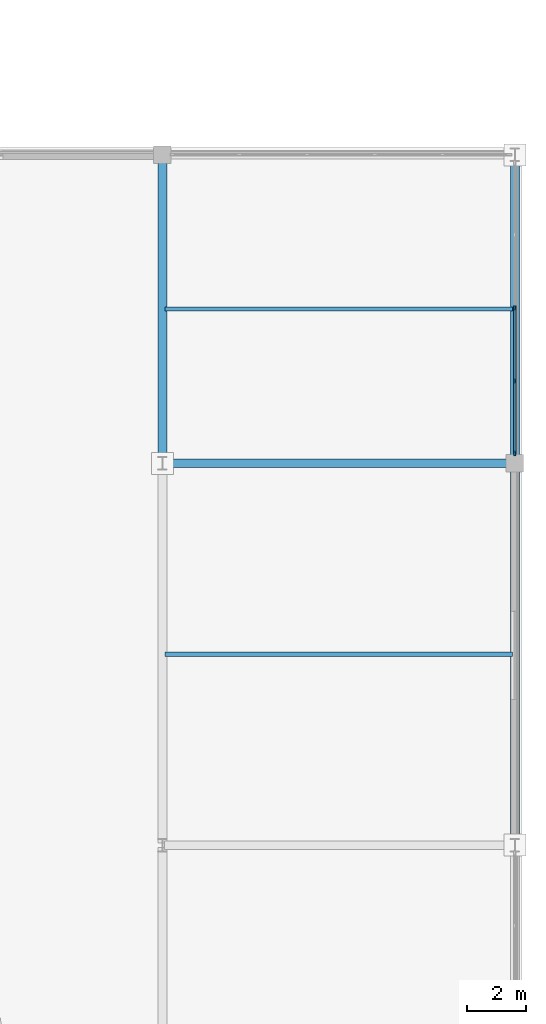
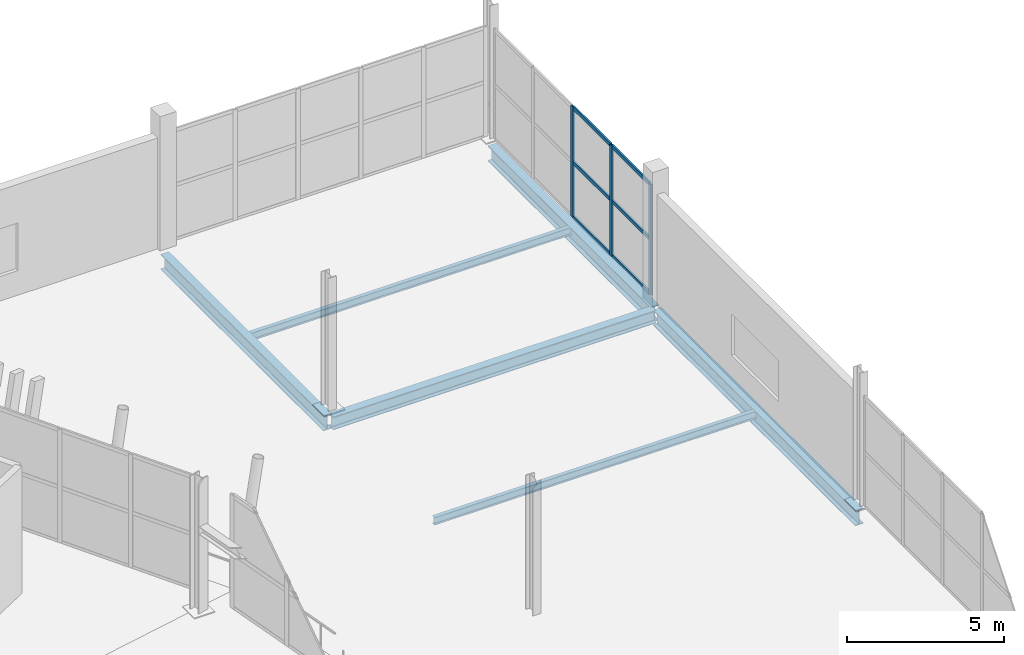
# One storey, part 67 of 178: 9 members, 6 beams, 1 element without a shape of its own.
"""IFC4 building model written with IfcOpenShell, lengths in metres."""

from ifc_helpers import new_model, si_unit, direction, frame, origin, origin_2d, place, context, subcontext, project, spatial, rectangle, i_section, extrude, material, material_profile, profile_set, type_object, element, aggregate, save


model = new_model("IFC4")

# Units and contexts
model_context = context("Model", 3, precision=1e-05, world=origin(), true_north=direction((0.0, 1.0)))
body_context = subcontext(model_context, "Body", "Model", "MODEL_VIEW")
ifc_project = project(units=[si_unit("LENGTHUNIT", "METRE"), si_unit("AREAUNIT", "SQUARE_METRE"), si_unit("VOLUMEUNIT", "CUBIC_METRE"), si_unit("PLANEANGLEUNIT", "RADIAN"), si_unit("MASSUNIT", "GRAM", prefix="KILO")], contexts=[model_context])

# Site, building, storey
site_placement = place(None, origin())
site = spatial("IfcSite", under=ifc_project, at=site_placement, CompositionType="ELEMENT")
building_placement = place(site_placement, origin())
building = spatial("IfcBuilding", under=site, at=building_placement, Name="Zlatoyarsky Gate Stadium", CompositionType="ELEMENT")
storey_placement = place(building_placement, frame((0.0, 0.0, 5.39990234375)))
storey = spatial("IfcBuildingStorey", under=building, at=storey_placement, Name="L01", CompositionType="ELEMENT", Elevation=5.39990234375)

# Curtain wall, members
ifc_material_1 = material(Name="Thermally broken anodised aluminium curtain wall", Category="aluminium")
curtain_wall_type = type_object("IfcCurtainWallType", Name="WINTER GARDEN CONSERVATORY GLAZING", PredefinedType="USERDEFINED", material=ifc_material_1)
curtain_wall_placement = place(storey_placement, origin())
curtain_wall = element("IfcCurtainWall", 1, at=curtain_wall_placement, inside=storey, type_object=curtain_wall_type, Name="Curtain wall CW-V5_EAST-L01-182", ObjectType="UNITISED GLAZING", PredefinedType="USERDEFINED")
ifc_material_2 = material(Name="Anodised aluminium 6063-T6", Category="aluminium")
ifc_material_profile_1 = material_profile(ifc_material_2, rectangle(XDim=0.06494140625, YDim=0.159912109375, at=origin_2d()), Name="ALU 65X160")
ifc_profile_set_1 = profile_set([ifc_material_profile_1], Name="Anodised aluminium 6063-T6")
member_type_1 = type_object("IfcMemberType", Name="ALUMINIUM MULLION 65X160", PredefinedType="MULLION", material=ifc_profile_set_1)
member_1_placement = place(storey_placement, frame((222.0, 106.344482421875, 0.0), z_axis=(0.0, 0.0, 1.0), x_axis=(-1.0, 0.0, 0.0)))
member_1 = element("IfcMember", 2, at=member_1_placement, type_object=member_type_1, Name="CW-WG1 mullion 1", PredefinedType="MULLION", context=body_context, shape_type="SweptSolid", body=[
    extrude(rectangle(XDim=0.06494140625, YDim=0.159912109375, at=origin_2d()), origin(), (0.0, 0.0, 1.0), 4.300048828125),
])
member_2_placement = place(storey_placement, frame((222.0, 108.7998046875, 0.0), z_axis=(0.0, 0.0, 1.0), x_axis=(-1.0, 0.0, 0.0)))
member_2 = element("IfcMember", 3, at=member_2_placement, type_object=member_type_1, Name="CW-WG1 mullion 2", PredefinedType="MULLION", context=body_context, shape_type="SweptSolid", body=[
    extrude(rectangle(XDim=0.06494140625, YDim=0.159912109375, at=origin_2d()), origin(), (0.0, 0.0, 1.0), 4.300048828125),
])
member_3_placement = place(storey_placement, frame((222.0, 111.28759765625, 0.0), z_axis=(0.0, 0.0, 1.0), x_axis=(-1.0, 0.0, 0.0)))
member_3 = element("IfcMember", 4, at=member_3_placement, type_object=member_type_1, Name="CW-WG1 mullion 3", PredefinedType="MULLION", context=body_context, shape_type="SweptSolid", body=[
    extrude(rectangle(XDim=0.06494140625, YDim=0.159912109375, at=origin_2d()), origin(), (0.0, 0.0, 1.0), 4.300048828125),
])
ifc_material_profile_2 = material_profile(ifc_material_2, rectangle(XDim=0.06494140625, YDim=0.139892578125, at=origin_2d()), Name="ALU 65X140")
ifc_profile_set_2 = profile_set([ifc_material_profile_2], Name="Anodised aluminium 6063-T6")
member_type_2 = type_object("IfcMemberType", Name="ALUMINIUM TRANSOM 65X140", PredefinedType="USERDEFINED", material=ifc_profile_set_2)
member_4_placement = place(storey_placement, frame((222.0, 106.376953125, 0.03271484375), z_axis=(0.0, 1.0, 0.0), x_axis=(-1.0, 0.0, 0.0)))
member_4 = element("IfcMember", 5, at=member_4_placement, type_object=member_type_2, Name="CW-WG1 transom 1.1", ObjectType="TRANSOM", PredefinedType="USERDEFINED", context=body_context, shape_type="SweptSolid", body=[
    extrude(rectangle(XDim=0.06494140625, YDim=0.139892578125, at=origin_2d()), origin(), (0.0, 0.0, 1.0), 2.390380859375),
])
member_5_placement = place(storey_placement, frame((222.0, 106.376953125, 2.150146484375), z_axis=(0.0, 1.0, 0.0), x_axis=(-1.0, 0.0, 0.0)))
member_5 = element("IfcMember", 6, at=member_5_placement, type_object=member_type_2, Name="CW-WG1 transom 1.2", ObjectType="TRANSOM", PredefinedType="USERDEFINED", context=body_context, shape_type="SweptSolid", body=[
    extrude(rectangle(XDim=0.06494140625, YDim=0.139892578125, at=origin_2d()), origin(), (0.0, 0.0, 1.0), 2.390380859375),
])
member_6_placement = place(storey_placement, frame((222.0, 106.376953125, 4.267578125), z_axis=(0.0, 1.0, 0.0), x_axis=(-1.0, 0.0, 0.0)))
member_6 = element("IfcMember", 7, at=member_6_placement, type_object=member_type_2, Name="CW-WG1 transom 1.3", ObjectType="TRANSOM", PredefinedType="USERDEFINED", context=body_context, shape_type="SweptSolid", body=[
    extrude(rectangle(XDim=0.06494140625, YDim=0.139892578125, at=origin_2d()), origin(), (0.0, 0.0, 1.0), 2.390380859375),
])
member_7_placement = place(storey_placement, frame((222.0, 108.832275390625, 0.03271484375), z_axis=(0.0, 1.0, 0.0), x_axis=(-1.0, 0.0, 0.0)))
member_7 = element("IfcMember", 8, at=member_7_placement, type_object=member_type_2, Name="CW-WG1 transom 2.1", ObjectType="TRANSOM", PredefinedType="USERDEFINED", context=body_context, shape_type="SweptSolid", body=[
    extrude(rectangle(XDim=0.06494140625, YDim=0.139892578125, at=origin_2d()), origin(), (0.0, 0.0, 1.0), 2.422607421875),
])
member_8_placement = place(storey_placement, frame((222.0, 108.832275390625, 2.150146484375), z_axis=(0.0, 1.0, 0.0), x_axis=(-1.0, 0.0, 0.0)))
member_8 = element("IfcMember", 9, at=member_8_placement, type_object=member_type_2, Name="CW-WG1 transom 2.2", ObjectType="TRANSOM", PredefinedType="USERDEFINED", context=body_context, shape_type="SweptSolid", body=[
    extrude(rectangle(XDim=0.06494140625, YDim=0.139892578125, at=origin_2d()), origin(), (0.0, 0.0, 1.0), 2.422607421875),
])
member_9_placement = place(storey_placement, frame((222.0, 108.832275390625, 4.267578125), z_axis=(0.0, 1.0, 0.0), x_axis=(-1.0, 0.0, 0.0)))
member_9 = element("IfcMember", 10, at=member_9_placement, type_object=member_type_2, Name="CW-WG1 transom 2.3", ObjectType="TRANSOM", PredefinedType="USERDEFINED", context=body_context, shape_type="SweptSolid", body=[
    extrude(rectangle(XDim=0.06494140625, YDim=0.139892578125, at=origin_2d()), origin(), (0.0, 0.0, 1.0), 2.422607421875),
])
aggregate(curtain_wall, [member_1, member_2, member_3, member_4, member_5, member_6, member_7, member_8, member_9])

# Beams
ifc_material_3 = material(Name="Steel S355", Category="steel")
ifc_material_profile_3 = material_profile(ifc_material_3, i_section(OverallWidth=0.300048828125, OverallDepth=0.5, WebThickness=0.014404296875, FlangeThickness=0.028076171875, FilletRadius=0.027099609375, at=origin_2d()), Name="HEB 500")
ifc_profile_set_3 = profile_set([ifc_material_profile_3], Name="Steel S355")
beam_type_1 = type_object("IfcBeamType", Name="STEEL PRIMARY GIRDER HEB 500", PredefinedType="BEAM", material=ifc_profile_set_3)
beam_1_placement = place(storey_placement, frame((210.080078125, 106.0, -0.5498046875), z_axis=(1.0, 0.0, 0.0), x_axis=(0.0, 1.0, 0.0)))
element("IfcBeam", 11, at=beam_1_placement, inside=storey, type_object=beam_type_1, Name="Beam G-HEB500 BM-L01-WGX-18-K", PredefinedType="BEAM", context=body_context, shape_type="SweptSolid", body=[
    extrude(i_section(OverallWidth=0.300048828125, OverallDepth=0.5, WebThickness=0.014404296875, FlangeThickness=0.028076171875, FilletRadius=0.027099609375, at=origin_2d()), origin(), (0.0, 0.0, 1.0), 11.83984375),
])
ifc_material_profile_4 = material_profile(ifc_material_3, i_section(OverallWidth=0.300048828125, OverallDepth=0.60009765625, WebThickness=0.015380859375, FlangeThickness=0.030029296875, FilletRadius=0.027099609375, at=origin_2d()), Name="HEB 600")
ifc_profile_set_4 = profile_set([ifc_material_profile_4], Name="Steel S355")
beam_type_2 = type_object("IfcBeamType", Name="STEEL PRIMARY GIRDER HEB 600", PredefinedType="BEAM", material=ifc_profile_set_4)
beam_2_placement = place(storey_placement, frame((210.0, 106.080078125, -0.599853515625), z_axis=(0.0, 1.0, 0.0), x_axis=(-1.0, 0.0, 0.0)))
element("IfcBeam", 12, at=beam_2_placement, inside=storey, type_object=beam_type_2, Name="Beam G-HEB600 BM-L01-WGY-18-K", PredefinedType="BEAM", context=body_context, shape_type="SweptSolid", body=[
    extrude(i_section(OverallWidth=0.300048828125, OverallDepth=0.60009765625, WebThickness=0.015380859375, FlangeThickness=0.030029296875, FilletRadius=0.027099609375, at=origin_2d()), origin(), (0.0, 0.0, 1.0), 10.33984375),
])
beam_3_placement = place(storey_placement, frame((222.0, 93.080078125, -0.599853515625), z_axis=(0.0, 1.0, 0.0), x_axis=(-1.0, 0.0, 0.0)))
element("IfcBeam", 13, at=beam_3_placement, inside=storey, type_object=beam_type_2, Name="Beam G-HEB600 BM-L01-WGY-19-J", PredefinedType="BEAM", context=body_context, shape_type="SweptSolid", body=[
    extrude(i_section(OverallWidth=0.300048828125, OverallDepth=0.60009765625, WebThickness=0.015380859375, FlangeThickness=0.030029296875, FilletRadius=0.027099609375, at=origin_2d()), origin(), (0.0, 0.0, 1.0), 12.83984375),
])
beam_4_placement = place(storey_placement, frame((222.0, 106.080078125, -0.599853515625), z_axis=(0.0, 1.0, 0.0), x_axis=(-1.0, 0.0, 0.0)))
element("IfcBeam", 14, at=beam_4_placement, inside=storey, type_object=beam_type_2, Name="Beam G-HEB600 BM-L01-WGY-19-K", PredefinedType="BEAM", context=body_context, shape_type="SweptSolid", body=[
    extrude(i_section(OverallWidth=0.300048828125, OverallDepth=0.60009765625, WebThickness=0.015380859375, FlangeThickness=0.030029296875, FilletRadius=0.027099609375, at=origin_2d()), origin(), (0.0, 0.0, 1.0), 10.33984375),
])
ifc_material_profile_5 = material_profile(ifc_material_3, i_section(OverallWidth=0.14990234375, OverallDepth=0.300048828125, WebThickness=0.007080078125, FlangeThickness=0.0107421875, FilletRadius=0.014892578125, at=origin_2d()), Name="IPE 300")
ifc_profile_set_5 = profile_set([ifc_material_profile_5], Name="Steel S355")
beam_type_3 = type_object("IfcBeamType", Name="STEEL SECONDARY JOIST IPE 300", PredefinedType="JOIST", material=ifc_profile_set_5)
for number, where, z_axis, x_axis, name in (
    (15, (210.090087890625, 99.5, -0.449951171875), (1.0, 0.0, 0.0), (0.0, 1.0, 0.0), "Beam J-IPE300 JST-L01-18-J"),
    (16, (210.090087890625, 111.25, -0.449951171875), (1.0, 0.0, 0.0), (0.0, 1.0, 0.0), "Beam J-IPE300 JST-L01-18-K"),
):
    element("IfcBeam", number, at=place(storey_placement, frame(where, z_axis=z_axis, x_axis=x_axis)), inside=storey, type_object=beam_type_3, Name=name, PredefinedType="JOIST", context=body_context, shape_type="SweptSolid", body=[
        extrude(i_section(OverallWidth=0.14990234375, OverallDepth=0.300048828125, WebThickness=0.007080078125, FlangeThickness=0.0107421875, FilletRadius=0.014892578125, at=origin_2d()), origin(), (0.0, 0.0, 1.0), 11.81982421875),
    ])

save(model, "model.ifc")
